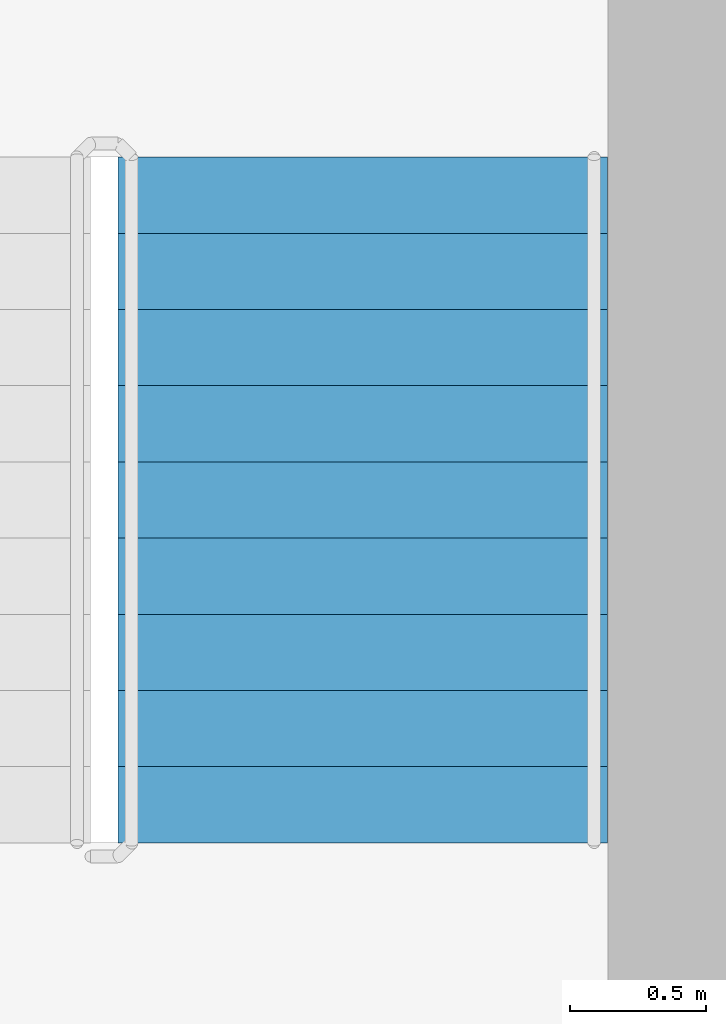
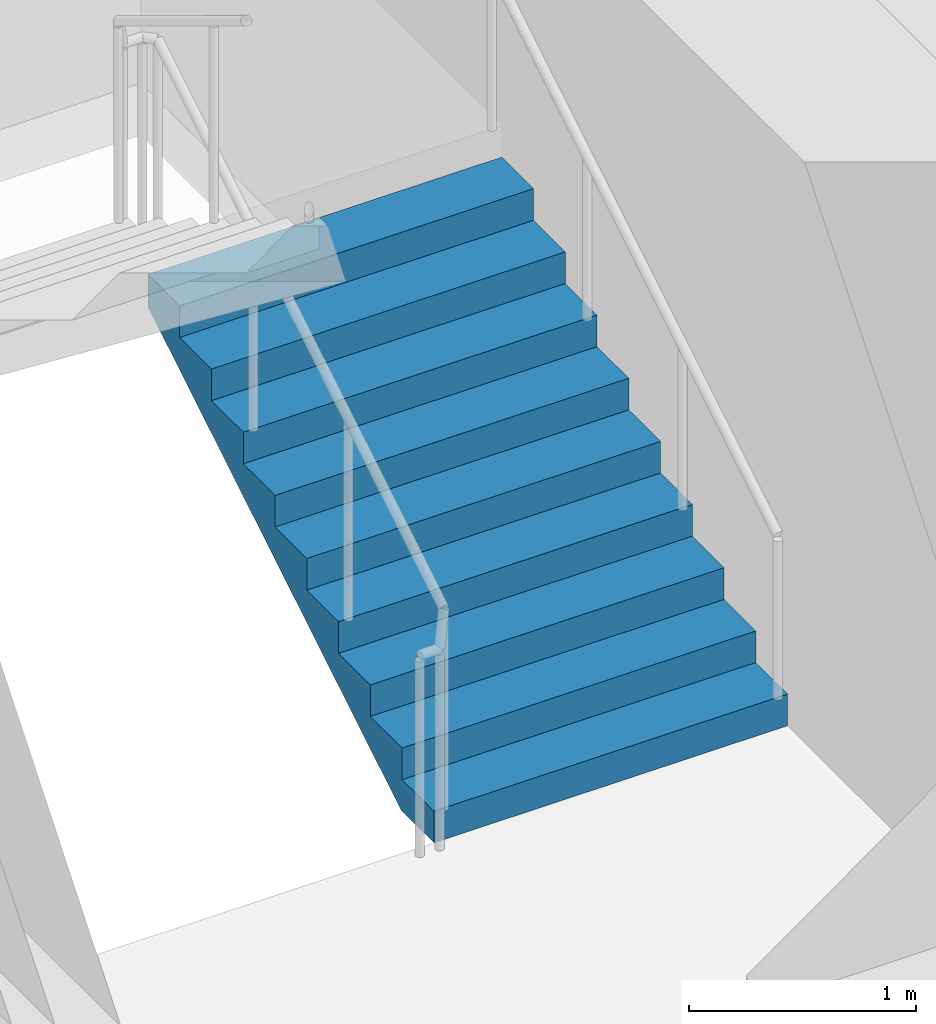
# One storey, part 12 of 20: 1 stair flight, 1 element without a shape of its own.
"""IFC4 building model written with IfcOpenShell, lengths in metres."""

from ifc_helpers import new_model, si_unit, direction, frame, origin, place, context, subcontext, project, spatial, triangles, source, transform, mapped, material, type_object, element, aggregate, save


model = new_model("IFC4")

# Units and contexts
model_context = context("Model", 3, precision=1e-05, world=origin(), true_north=direction((0.0, 1.0)))
body_context = subcontext(model_context, "Body", "Model", "MODEL_VIEW")
ifc_project = project(units=[si_unit("LENGTHUNIT", "METRE"), si_unit("AREAUNIT", "SQUARE_METRE"), si_unit("VOLUMEUNIT", "CUBIC_METRE"), si_unit("PLANEANGLEUNIT", "RADIAN"), si_unit("MASSUNIT", "GRAM", prefix="KILO")], contexts=[model_context])

# Site, building, storey
site_placement = place(None, origin())
site = spatial("IfcSite", under=ifc_project, at=site_placement, CompositionType="ELEMENT")
building_placement = place(site_placement, origin())
building = spatial("IfcBuilding", under=site, at=building_placement, Name="Kilnfold Tower and Market Hall", CompositionType="ELEMENT")
storey_placement = place(building_placement, frame((0.0, 0.0, 157.5)))
storey = spatial("IfcBuildingStorey", under=building, at=storey_placement, Name="L36", CompositionType="ELEMENT", Elevation=157.5)

# Stair, stair flight
ifc_material_1 = material(Name="Concrete C40/50", Category="concrete")
stair_type = type_object("IfcStairType", Name="CORE STAIR 1800", PredefinedType="HALF_TURN_STAIR", material=ifc_material_1)
stair_placement = place(storey_placement, origin())
stair = element("IfcStair", 1, at=stair_placement, inside=storey, type_object=stair_type, Name="L36 ST2", PredefinedType="HALF_TURN_STAIR")
ifc_material_2 = material(Name="Concrete C40/50", Category="concrete")
stair_flight_type = type_object("IfcStairFlightType", Name="CORE STAIR FLIGHT 1800", PredefinedType="STRAIGHT", material=ifc_material_2)
shared_shape = source(origin(), body_context, "Body", "Tessellation", [
    triangles([(0.0, 0.89990234375, 0.0), (0.0, 0.78759765625, 0.0), (0.0, 0.675048828125, 0.0), (0.0, 0.5625, 0.0), (0.0, 0.449951171875, 0.0), (0.0, 0.33740234375, 0.0), (0.0, 0.22509765625, 0.0), (0.0, 0.112548828125, 0.0), (0.0, 0.0, 0.0), (0.0, -0.112548828125, 0.0), (0.0, -0.22509765625, 0.0), (0.0, -0.33740234375, 0.0), (0.0, -0.449951171875, 0.0), (0.0, -0.5625, 0.0), (0.0, -0.675048828125, 0.0), (0.0, -0.78759765625, 0.0), (0.0, -0.89990234375, 0.0), (0.0, 0.89990234375, 0.169921875), (0.0, 0.78759765625, 0.169921875), (0.0, 0.675048828125, 0.169921875), (0.0, 0.5625, 0.169921875), (0.0, 0.449951171875, 0.169921875), (0.0, 0.33740234375, 0.169921875), (0.0, 0.22509765625, 0.169921875), (0.0, 0.112548828125, 0.169921875), (0.0, 0.0, 0.169921875), (0.0, -0.112548828125, 0.169921875), (0.0, -0.22509765625, 0.169921875), (0.0, -0.33740234375, 0.169921875), (0.0, -0.449951171875, 0.169921875), (0.0, -0.5625, 0.169921875), (0.0, -0.675048828125, 0.169921875), (0.0, -0.78759765625, 0.169921875), (0.0, -0.89990234375, 0.169921875), (0.280029296875, 0.89990234375, 0.169921875), (0.280029296875, 0.78759765625, 0.169921875), (0.280029296875, 0.675048828125, 0.169921875), (0.280029296875, 0.5625, 0.169921875), (0.280029296875, 0.449951171875, 0.169921875), (0.280029296875, 0.33740234375, 0.169921875), (0.280029296875, 0.22509765625, 0.169921875), (0.280029296875, 0.112548828125, 0.169921875), (0.280029296875, 0.0, 0.169921875), (0.280029296875, -0.112548828125, 0.169921875), (0.280029296875, -0.22509765625, 0.169921875), (0.280029296875, -0.33740234375, 0.169921875), (0.280029296875, -0.449951171875, 0.169921875), (0.280029296875, -0.5625, 0.169921875), (0.280029296875, -0.675048828125, 0.169921875), (0.280029296875, -0.78759765625, 0.169921875), (0.280029296875, -0.89990234375, 0.169921875), (0.280029296875, 0.89990234375, 0.340087890625), (0.280029296875, 0.78759765625, 0.340087890625), (0.280029296875, 0.675048828125, 0.340087890625), (0.280029296875, 0.5625, 0.340087890625), (0.280029296875, 0.449951171875, 0.340087890625), (0.280029296875, 0.33740234375, 0.340087890625), (0.280029296875, 0.22509765625, 0.340087890625), (0.280029296875, 0.112548828125, 0.340087890625), (0.280029296875, 0.0, 0.340087890625), (0.280029296875, -0.112548828125, 0.340087890625), (0.280029296875, -0.22509765625, 0.340087890625), (0.280029296875, -0.33740234375, 0.340087890625), (0.280029296875, -0.449951171875, 0.340087890625), (0.280029296875, -0.5625, 0.340087890625), (0.280029296875, -0.675048828125, 0.340087890625), (0.280029296875, -0.78759765625, 0.340087890625), (0.280029296875, -0.89990234375, 0.340087890625), (0.56005859375, 0.89990234375, 0.340087890625), (0.56005859375, 0.78759765625, 0.340087890625), (0.56005859375, 0.675048828125, 0.340087890625), (0.56005859375, 0.5625, 0.340087890625), (0.56005859375, 0.449951171875, 0.340087890625), (0.56005859375, 0.33740234375, 0.340087890625), (0.56005859375, 0.22509765625, 0.340087890625), (0.56005859375, 0.112548828125, 0.340087890625), (0.56005859375, 0.0, 0.340087890625), (0.56005859375, -0.112548828125, 0.340087890625), (0.56005859375, -0.22509765625, 0.340087890625), (0.56005859375, -0.33740234375, 0.340087890625), (0.56005859375, -0.449951171875, 0.340087890625), (0.56005859375, -0.5625, 0.340087890625), (0.56005859375, -0.675048828125, 0.340087890625), (0.56005859375, -0.78759765625, 0.340087890625), (0.56005859375, -0.89990234375, 0.340087890625), (0.56005859375, 0.89990234375, 0.510009765625), (0.56005859375, 0.78759765625, 0.510009765625), (0.56005859375, 0.675048828125, 0.510009765625), (0.56005859375, 0.5625, 0.510009765625), (0.56005859375, 0.449951171875, 0.510009765625), (0.56005859375, 0.33740234375, 0.510009765625), (0.56005859375, 0.22509765625, 0.510009765625), (0.56005859375, 0.112548828125, 0.510009765625), (0.56005859375, 0.0, 0.510009765625), (0.56005859375, -0.112548828125, 0.510009765625), (0.56005859375, -0.22509765625, 0.510009765625), (0.56005859375, -0.33740234375, 0.510009765625), (0.56005859375, -0.449951171875, 0.510009765625), (0.56005859375, -0.5625, 0.510009765625), (0.56005859375, -0.675048828125, 0.510009765625), (0.56005859375, -0.78759765625, 0.510009765625), (0.56005859375, -0.89990234375, 0.510009765625), (0.840087890625, 0.89990234375, 0.510009765625), (0.840087890625, 0.78759765625, 0.510009765625), (0.840087890625, 0.675048828125, 0.510009765625), (0.840087890625, 0.5625, 0.510009765625), (0.840087890625, 0.449951171875, 0.510009765625), (0.840087890625, 0.33740234375, 0.510009765625), (0.840087890625, 0.22509765625, 0.510009765625), (0.840087890625, 0.112548828125, 0.510009765625), (0.840087890625, 0.0, 0.510009765625), (0.840087890625, -0.112548828125, 0.510009765625), (0.840087890625, -0.22509765625, 0.510009765625), (0.840087890625, -0.33740234375, 0.510009765625), (0.840087890625, -0.449951171875, 0.510009765625), (0.840087890625, -0.5625, 0.510009765625), (0.840087890625, -0.675048828125, 0.510009765625), (0.840087890625, -0.78759765625, 0.510009765625), (0.840087890625, -0.89990234375, 0.510009765625), (0.840087890625, 0.89990234375, 0.679931640625), (0.840087890625, 0.78759765625, 0.679931640625), (0.840087890625, 0.675048828125, 0.679931640625), (0.840087890625, 0.5625, 0.679931640625), (0.840087890625, 0.449951171875, 0.679931640625), (0.840087890625, 0.33740234375, 0.679931640625), (0.840087890625, 0.22509765625, 0.679931640625), (0.840087890625, 0.112548828125, 0.679931640625), (0.840087890625, 0.0, 0.679931640625), (0.840087890625, -0.112548828125, 0.679931640625), (0.840087890625, -0.22509765625, 0.679931640625), (0.840087890625, -0.33740234375, 0.679931640625), (0.840087890625, -0.449951171875, 0.679931640625), (0.840087890625, -0.5625, 0.679931640625), (0.840087890625, -0.675048828125, 0.679931640625), (0.840087890625, -0.78759765625, 0.679931640625), (0.840087890625, -0.89990234375, 0.679931640625), (1.1201171875, 0.89990234375, 0.679931640625), (1.1201171875, 0.78759765625, 0.679931640625), (1.1201171875, 0.675048828125, 0.679931640625), (1.1201171875, 0.5625, 0.679931640625), (1.1201171875, 0.449951171875, 0.679931640625), (1.1201171875, 0.33740234375, 0.679931640625), (1.1201171875, 0.22509765625, 0.679931640625), (1.1201171875, 0.112548828125, 0.679931640625), (1.1201171875, 0.0, 0.679931640625), (1.1201171875, -0.112548828125, 0.679931640625), (1.1201171875, -0.22509765625, 0.679931640625), (1.1201171875, -0.33740234375, 0.679931640625), (1.1201171875, -0.449951171875, 0.679931640625), (1.1201171875, -0.5625, 0.679931640625), (1.1201171875, -0.675048828125, 0.679931640625), (1.1201171875, -0.78759765625, 0.679931640625), (1.1201171875, -0.89990234375, 0.679931640625), (1.1201171875, 0.89990234375, 0.85009765625), (1.1201171875, 0.78759765625, 0.85009765625), (1.1201171875, 0.675048828125, 0.85009765625), (1.1201171875, 0.5625, 0.85009765625), (1.1201171875, 0.449951171875, 0.85009765625), (1.1201171875, 0.33740234375, 0.85009765625), (1.1201171875, 0.22509765625, 0.85009765625), (1.1201171875, 0.112548828125, 0.85009765625), (1.1201171875, 0.0, 0.85009765625), (1.1201171875, -0.112548828125, 0.85009765625), (1.1201171875, -0.22509765625, 0.85009765625), (1.1201171875, -0.33740234375, 0.85009765625), (1.1201171875, -0.449951171875, 0.85009765625), (1.1201171875, -0.5625, 0.85009765625), (1.1201171875, -0.675048828125, 0.85009765625), (1.1201171875, -0.78759765625, 0.85009765625), (1.1201171875, -0.89990234375, 0.85009765625), (1.39990234375, 0.89990234375, 0.85009765625), (1.39990234375, 0.78759765625, 0.85009765625), (1.39990234375, 0.675048828125, 0.85009765625), (1.39990234375, 0.5625, 0.85009765625), (1.39990234375, 0.449951171875, 0.85009765625), (1.39990234375, 0.33740234375, 0.85009765625), (1.39990234375, 0.22509765625, 0.85009765625), (1.39990234375, 0.112548828125, 0.85009765625), (1.39990234375, 0.0, 0.85009765625), (1.39990234375, -0.112548828125, 0.85009765625), (1.39990234375, -0.22509765625, 0.85009765625), (1.39990234375, -0.33740234375, 0.85009765625), (1.39990234375, -0.449951171875, 0.85009765625), (1.39990234375, -0.5625, 0.85009765625), (1.39990234375, -0.675048828125, 0.85009765625), (1.39990234375, -0.78759765625, 0.85009765625), (1.39990234375, -0.89990234375, 0.85009765625), (1.39990234375, 0.89990234375, 1.02001953125), (1.39990234375, 0.78759765625, 1.02001953125), (1.39990234375, 0.675048828125, 1.02001953125), (1.39990234375, 0.5625, 1.02001953125), (1.39990234375, 0.449951171875, 1.02001953125), (1.39990234375, 0.33740234375, 1.02001953125), (1.39990234375, 0.22509765625, 1.02001953125), (1.39990234375, 0.112548828125, 1.02001953125), (1.39990234375, 0.0, 1.02001953125), (1.39990234375, -0.112548828125, 1.02001953125), (1.39990234375, -0.22509765625, 1.02001953125), (1.39990234375, -0.33740234375, 1.02001953125), (1.39990234375, -0.449951171875, 1.02001953125), (1.39990234375, -0.5625, 1.02001953125), (1.39990234375, -0.675048828125, 1.02001953125), (1.39990234375, -0.78759765625, 1.02001953125), (1.39990234375, -0.89990234375, 1.02001953125), (1.679931640625, 0.89990234375, 1.02001953125), (1.679931640625, 0.78759765625, 1.02001953125), (1.679931640625, 0.675048828125, 1.02001953125), (1.679931640625, 0.5625, 1.02001953125), (1.679931640625, 0.449951171875, 1.02001953125), (1.679931640625, 0.33740234375, 1.02001953125), (1.679931640625, 0.22509765625, 1.02001953125), (1.679931640625, 0.112548828125, 1.02001953125), (1.679931640625, 0.0, 1.02001953125), (1.679931640625, -0.112548828125, 1.02001953125), (1.679931640625, -0.22509765625, 1.02001953125), (1.679931640625, -0.33740234375, 1.02001953125), (1.679931640625, -0.449951171875, 1.02001953125), (1.679931640625, -0.5625, 1.02001953125), (1.679931640625, -0.675048828125, 1.02001953125), (1.679931640625, -0.78759765625, 1.02001953125), (1.679931640625, -0.89990234375, 1.02001953125), (1.679931640625, 0.89990234375, 1.18994140625), (1.679931640625, 0.78759765625, 1.18994140625), (1.679931640625, 0.675048828125, 1.18994140625), (1.679931640625, 0.5625, 1.18994140625), (1.679931640625, 0.449951171875, 1.18994140625), (1.679931640625, 0.33740234375, 1.18994140625), (1.679931640625, 0.22509765625, 1.18994140625), (1.679931640625, 0.112548828125, 1.18994140625), (1.679931640625, 0.0, 1.18994140625), (1.679931640625, -0.112548828125, 1.18994140625), (1.679931640625, -0.22509765625, 1.18994140625), (1.679931640625, -0.33740234375, 1.18994140625), (1.679931640625, -0.449951171875, 1.18994140625), (1.679931640625, -0.5625, 1.18994140625), (1.679931640625, -0.675048828125, 1.18994140625), (1.679931640625, -0.78759765625, 1.18994140625), (1.679931640625, -0.89990234375, 1.18994140625), (1.9599609375, 0.89990234375, 1.18994140625), (1.9599609375, 0.78759765625, 1.18994140625), (1.9599609375, 0.675048828125, 1.18994140625), (1.9599609375, 0.5625, 1.18994140625), (1.9599609375, 0.449951171875, 1.18994140625), (1.9599609375, 0.33740234375, 1.18994140625), (1.9599609375, 0.22509765625, 1.18994140625), (1.9599609375, 0.112548828125, 1.18994140625), (1.9599609375, 0.0, 1.18994140625), (1.9599609375, -0.112548828125, 1.18994140625), (1.9599609375, -0.22509765625, 1.18994140625), (1.9599609375, -0.33740234375, 1.18994140625), (1.9599609375, -0.449951171875, 1.18994140625), (1.9599609375, -0.5625, 1.18994140625), (1.9599609375, -0.675048828125, 1.18994140625), (1.9599609375, -0.78759765625, 1.18994140625), (1.9599609375, -0.89990234375, 1.18994140625), (1.9599609375, 0.89990234375, 1.360107421875), (1.9599609375, 0.78759765625, 1.360107421875), (1.9599609375, 0.675048828125, 1.360107421875), (1.9599609375, 0.5625, 1.360107421875), (1.9599609375, 0.449951171875, 1.360107421875), (1.9599609375, 0.33740234375, 1.360107421875), (1.9599609375, 0.22509765625, 1.360107421875), (1.9599609375, 0.112548828125, 1.360107421875), (1.9599609375, 0.0, 1.360107421875), (1.9599609375, -0.112548828125, 1.360107421875), (1.9599609375, -0.22509765625, 1.360107421875), (1.9599609375, -0.33740234375, 1.360107421875), (1.9599609375, -0.449951171875, 1.360107421875), (1.9599609375, -0.5625, 1.360107421875), (1.9599609375, -0.675048828125, 1.360107421875), (1.9599609375, -0.78759765625, 1.360107421875), (1.9599609375, -0.89990234375, 1.360107421875), (2.239990234375, 0.89990234375, 1.360107421875), (2.239990234375, 0.78759765625, 1.360107421875), (2.239990234375, 0.675048828125, 1.360107421875), (2.239990234375, 0.5625, 1.360107421875), (2.239990234375, 0.449951171875, 1.360107421875), (2.239990234375, 0.33740234375, 1.360107421875), (2.239990234375, 0.22509765625, 1.360107421875), (2.239990234375, 0.112548828125, 1.360107421875), (2.239990234375, 0.0, 1.360107421875), (2.239990234375, -0.112548828125, 1.360107421875), (2.239990234375, -0.22509765625, 1.360107421875), (2.239990234375, -0.33740234375, 1.360107421875), (2.239990234375, -0.449951171875, 1.360107421875), (2.239990234375, -0.5625, 1.360107421875), (2.239990234375, -0.675048828125, 1.360107421875), (2.239990234375, -0.78759765625, 1.360107421875), (2.239990234375, -0.89990234375, 1.360107421875), (2.239990234375, 0.89990234375, 1.530029296875), (2.239990234375, 0.78759765625, 1.530029296875), (2.239990234375, 0.675048828125, 1.530029296875), (2.239990234375, 0.5625, 1.530029296875), (2.239990234375, 0.449951171875, 1.530029296875), (2.239990234375, 0.33740234375, 1.530029296875), (2.239990234375, 0.22509765625, 1.530029296875), (2.239990234375, 0.112548828125, 1.530029296875), (2.239990234375, 0.0, 1.530029296875), (2.239990234375, -0.112548828125, 1.530029296875), (2.239990234375, -0.22509765625, 1.530029296875), (2.239990234375, -0.33740234375, 1.530029296875), (2.239990234375, -0.449951171875, 1.530029296875), (2.239990234375, -0.5625, 1.530029296875), (2.239990234375, -0.675048828125, 1.530029296875), (2.239990234375, -0.78759765625, 1.530029296875), (2.239990234375, -0.89990234375, 1.530029296875), (2.52001953125, 0.89990234375, 1.530029296875), (2.52001953125, 0.78759765625, 1.530029296875), (2.52001953125, 0.675048828125, 1.530029296875), (2.52001953125, 0.5625, 1.530029296875), (2.52001953125, 0.449951171875, 1.530029296875), (2.52001953125, 0.33740234375, 1.530029296875), (2.52001953125, 0.22509765625, 1.530029296875), (2.52001953125, 0.112548828125, 1.530029296875), (2.52001953125, 0.0, 1.530029296875), (2.52001953125, -0.112548828125, 1.530029296875), (2.52001953125, -0.22509765625, 1.530029296875), (2.52001953125, -0.33740234375, 1.530029296875), (2.52001953125, -0.449951171875, 1.530029296875), (2.52001953125, -0.5625, 1.530029296875), (2.52001953125, -0.675048828125, 1.530029296875), (2.52001953125, -0.78759765625, 1.530029296875), (2.52001953125, -0.89990234375, 1.530029296875), (2.52001953125, 0.89990234375, 1.354736328125), (2.52001953125, 0.78759765625, 1.354736328125), (2.52001953125, 0.675048828125, 1.354736328125), (2.52001953125, 0.5625, 1.354736328125), (2.52001953125, 0.449951171875, 1.354736328125), (2.52001953125, 0.33740234375, 1.354736328125), (2.52001953125, 0.22509765625, 1.354736328125), (2.52001953125, 0.112548828125, 1.354736328125), (2.52001953125, 0.0, 1.354736328125), (2.52001953125, -0.112548828125, 1.354736328125), (2.52001953125, -0.22509765625, 1.354736328125), (2.52001953125, -0.33740234375, 1.354736328125), (2.52001953125, -0.449951171875, 1.354736328125), (2.52001953125, -0.5625, 1.354736328125), (2.52001953125, -0.675048828125, 1.354736328125), (2.52001953125, -0.78759765625, 1.354736328125), (2.52001953125, -0.89990234375, 1.354736328125), (0.288818359375, 0.89990234375, 0.0), (0.288818359375, 0.78759765625, 0.0), (0.288818359375, 0.675048828125, 0.0), (0.288818359375, 0.5625, 0.0), (0.288818359375, 0.449951171875, 0.0), (0.288818359375, 0.33740234375, 0.0), (0.288818359375, 0.22509765625, 0.0), (0.288818359375, 0.112548828125, 0.0), (0.288818359375, 0.0, 0.0), (0.288818359375, -0.112548828125, 0.0), (0.288818359375, -0.22509765625, 0.0), (0.288818359375, -0.33740234375, 0.0), (0.288818359375, -0.449951171875, 0.0), (0.288818359375, -0.5625, 0.0), (0.288818359375, -0.675048828125, 0.0), (0.288818359375, -0.78759765625, 0.0), (0.288818359375, -0.89990234375, 0.0)], [[1, 324, 341], [17, 357, 340], [324, 290, 307], [340, 323, 306], [324, 273, 290], [340, 306, 289], [324, 256, 273], [340, 289, 272], [324, 239, 256], [340, 272, 255], [239, 205, 222], [255, 238, 221], [324, 205, 239], [340, 255, 221], [205, 171, 188], [221, 204, 187], [324, 171, 205], [340, 221, 187], [171, 137, 154], [187, 170, 153], [324, 137, 171], [340, 187, 153], [137, 103, 120], [153, 136, 119], [324, 103, 137], [340, 153, 119], [103, 69, 86], [119, 102, 85], [324, 69, 103], [340, 119, 85], [69, 35, 52], [85, 68, 51], [324, 35, 69], [340, 85, 51], [1, 35, 324], [17, 340, 51], [35, 1, 18], [51, 34, 17], [1, 19, 18], [1, 2, 19], [2, 20, 19], [2, 3, 20], [3, 21, 20], [3, 4, 21], [4, 22, 21], [4, 5, 22], [5, 23, 22], [5, 6, 23], [6, 24, 23], [6, 7, 24], [7, 25, 24], [7, 8, 25], [8, 26, 25], [8, 9, 26], [9, 27, 26], [9, 10, 27], [10, 28, 27], [10, 11, 28], [11, 29, 28], [11, 12, 29], [12, 30, 29], [12, 13, 30], [13, 31, 30], [13, 14, 31], [14, 32, 31], [14, 15, 32], [15, 33, 32], [15, 16, 33], [16, 34, 33], [16, 17, 34], [18, 36, 35], [18, 19, 36], [19, 37, 36], [19, 20, 37], [20, 38, 37], [20, 21, 38], [21, 39, 38], [21, 22, 39], [22, 40, 39], [22, 23, 40], [23, 41, 40], [23, 24, 41], [24, 42, 41], [24, 25, 42], [25, 43, 42], [25, 26, 43], [26, 44, 43], [26, 27, 44], [27, 45, 44], [27, 28, 45], [28, 46, 45], [28, 29, 46], [29, 47, 46], [29, 30, 47], [30, 48, 47], [30, 31, 48], [31, 49, 48], [31, 32, 49], [32, 50, 49], [32, 33, 50], [33, 51, 50], [33, 34, 51], [35, 53, 52], [35, 36, 53], [36, 54, 53], [36, 37, 54], [37, 55, 54], [37, 38, 55], [38, 56, 55], [38, 39, 56], [39, 57, 56], [39, 40, 57], [40, 58, 57], [40, 41, 58], [41, 59, 58], [41, 42, 59], [42, 60, 59], [42, 43, 60], [43, 61, 60], [43, 44, 61], [44, 62, 61], [44, 45, 62], [45, 63, 62], [45, 46, 63], [46, 64, 63], [46, 47, 64], [47, 65, 64], [47, 48, 65], [48, 66, 65], [48, 49, 66], [49, 67, 66], [49, 50, 67], [50, 68, 67], [50, 51, 68], [52, 70, 69], [52, 53, 70], [53, 71, 70], [53, 54, 71], [54, 72, 71], [54, 55, 72], [55, 73, 72], [55, 56, 73], [56, 74, 73], [56, 57, 74], [57, 75, 74], [57, 58, 75], [58, 76, 75], [58, 59, 76], [59, 77, 76], [59, 60, 77], [60, 78, 77], [60, 61, 78], [61, 79, 78], [61, 62, 79], [62, 80, 79], [62, 63, 80], [63, 81, 80], [63, 64, 81], [64, 82, 81], [64, 65, 82], [65, 83, 82], [65, 66, 83], [66, 84, 83], [66, 67, 84], [67, 85, 84], [67, 68, 85], [69, 87, 86], [69, 70, 87], [70, 88, 87], [70, 71, 88], [71, 89, 88], [71, 72, 89], [72, 90, 89], [72, 73, 90], [73, 91, 90], [73, 74, 91], [74, 92, 91], [74, 75, 92], [75, 93, 92], [75, 76, 93], [76, 94, 93], [76, 77, 94], [77, 95, 94], [77, 78, 95], [78, 96, 95], [78, 79, 96], [79, 97, 96], [79, 80, 97], [80, 98, 97], [80, 81, 98], [81, 99, 98], [81, 82, 99], [82, 100, 99], [82, 83, 100], [83, 101, 100], [83, 84, 101], [84, 102, 101], [84, 85, 102], [86, 104, 103], [86, 87, 104], [87, 105, 104], [87, 88, 105], [88, 106, 105], [88, 89, 106], [89, 107, 106], [89, 90, 107], [90, 108, 107], [90, 91, 108], [91, 109, 108], [91, 92, 109], [92, 110, 109], [92, 93, 110], [93, 111, 110], [93, 94, 111], [94, 112, 111], [94, 95, 112], [95, 113, 112], [95, 96, 113], [96, 114, 113], [96, 97, 114], [97, 115, 114], [97, 98, 115], [98, 116, 115], [98, 99, 116], [99, 117, 116], [99, 100, 117], [100, 118, 117], [100, 101, 118], [101, 119, 118], [101, 102, 119], [103, 121, 120], [103, 104, 121], [104, 122, 121], [104, 105, 122], [105, 123, 122], [105, 106, 123], [106, 124, 123], [106, 107, 124], [107, 125, 124], [107, 108, 125], [108, 126, 125], [108, 109, 126], [109, 127, 126], [109, 110, 127], [110, 128, 127], [110, 111, 128], [111, 129, 128], [111, 112, 129], [112, 130, 129], [112, 113, 130], [113, 131, 130], [113, 114, 131], [114, 132, 131], [114, 115, 132], [115, 133, 132], [115, 116, 133], [116, 134, 133], [116, 117, 134], [117, 135, 134], [117, 118, 135], [118, 136, 135], [118, 119, 136], [120, 138, 137], [120, 121, 138], [121, 139, 138], [121, 122, 139], [122, 140, 139], [122, 123, 140], [123, 141, 140], [123, 124, 141], [124, 142, 141], [124, 125, 142], [125, 143, 142], [125, 126, 143], [126, 144, 143], [126, 127, 144], [127, 145, 144], [127, 128, 145], [128, 146, 145], [128, 129, 146], [129, 147, 146], [129, 130, 147], [130, 148, 147], [130, 131, 148], [131, 149, 148], [131, 132, 149], [132, 150, 149], [132, 133, 150], [133, 151, 150], [133, 134, 151], [134, 152, 151], [134, 135, 152], [135, 153, 152], [135, 136, 153], [137, 155, 154], [137, 138, 155], [138, 156, 155], [138, 139, 156], [139, 157, 156], [139, 140, 157], [140, 158, 157], [140, 141, 158], [141, 159, 158], [141, 142, 159], [142, 160, 159], [142, 143, 160], [143, 161, 160], [143, 144, 161], [144, 162, 161], [144, 145, 162], [145, 163, 162], [145, 146, 163], [146, 164, 163], [146, 147, 164], [147, 165, 164], [147, 148, 165], [148, 166, 165], [148, 149, 166], [149, 167, 166], [149, 150, 167], [150, 168, 167], [150, 151, 168], [151, 169, 168], [151, 152, 169], [152, 170, 169], [152, 153, 170], [154, 172, 171], [154, 155, 172], [155, 173, 172], [155, 156, 173], [156, 174, 173], [156, 157, 174], [157, 175, 174], [157, 158, 175], [158, 176, 175], [158, 159, 176], [159, 177, 176], [159, 160, 177], [160, 178, 177], [160, 161, 178], [161, 179, 178], [161, 162, 179], [162, 180, 179], [162, 163, 180], [163, 181, 180], [163, 164, 181], [164, 182, 181], [164, 165, 182], [165, 183, 182], [165, 166, 183], [166, 184, 183], [166, 167, 184], [167, 185, 184], [167, 168, 185], [168, 186, 185], [168, 169, 186], [169, 187, 186], [169, 170, 187], [171, 189, 188], [171, 172, 189], [172, 190, 189], [172, 173, 190], [173, 191, 190], [173, 174, 191], [174, 192, 191], [174, 175, 192], [175, 193, 192], [175, 176, 193], [176, 194, 193], [176, 177, 194], [177, 195, 194], [177, 178, 195], [178, 196, 195], [178, 179, 196], [179, 197, 196], [179, 180, 197], [180, 198, 197], [180, 181, 198], [181, 199, 198], [181, 182, 199], [182, 200, 199], [182, 183, 200], [183, 201, 200], [183, 184, 201], [184, 202, 201], [184, 185, 202], [185, 203, 202], [185, 186, 203], [186, 204, 203], [186, 187, 204], [188, 206, 205], [188, 189, 206], [189, 207, 206], [189, 190, 207], [190, 208, 207], [190, 191, 208], [191, 209, 208], [191, 192, 209], [192, 210, 209], [192, 193, 210], [193, 211, 210], [193, 194, 211], [194, 212, 211], [194, 195, 212], [195, 213, 212], [195, 196, 213], [196, 214, 213], [196, 197, 214], [197, 215, 214], [197, 198, 215], [198, 216, 215], [198, 199, 216], [199, 217, 216], [199, 200, 217], [200, 218, 217], [200, 201, 218], [201, 219, 218], [201, 202, 219], [202, 220, 219], [202, 203, 220], [203, 221, 220], [203, 204, 221], [205, 223, 222], [205, 206, 223], [206, 224, 223], [206, 207, 224], [207, 225, 224], [207, 208, 225], [208, 226, 225], [208, 209, 226], [209, 227, 226], [209, 210, 227], [210, 228, 227], [210, 211, 228], [211, 229, 228], [211, 212, 229], [212, 230, 229], [212, 213, 230], [213, 231, 230], [213, 214, 231], [214, 232, 231], [214, 215, 232], [215, 233, 232], [215, 216, 233], [216, 234, 233], [216, 217, 234], [217, 235, 234], [217, 218, 235], [218, 236, 235], [218, 219, 236], [219, 237, 236], [219, 220, 237], [220, 238, 237], [220, 221, 238], [222, 240, 239], [222, 223, 240], [223, 241, 240], [223, 224, 241], [224, 242, 241], [224, 225, 242], [225, 243, 242], [225, 226, 243], [226, 244, 243], [226, 227, 244], [227, 245, 244], [227, 228, 245], [228, 246, 245], [228, 229, 246], [229, 247, 246], [229, 230, 247], [230, 248, 247], [230, 231, 248], [231, 249, 248], [231, 232, 249], [232, 250, 249], [232, 233, 250], [233, 251, 250], [233, 234, 251], [234, 252, 251], [234, 235, 252], [235, 253, 252], [235, 236, 253], [236, 254, 253], [236, 237, 254], [237, 255, 254], [237, 238, 255], [239, 257, 256], [239, 240, 257], [240, 258, 257], [240, 241, 258], [241, 259, 258], [241, 242, 259], [242, 260, 259], [242, 243, 260], [243, 261, 260], [243, 244, 261], [244, 262, 261], [244, 245, 262], [245, 263, 262], [245, 246, 263], [246, 264, 263], [246, 247, 264], [247, 265, 264], [247, 248, 265], [248, 266, 265], [248, 249, 266], [249, 267, 266], [249, 250, 267], [250, 268, 267], [250, 251, 268], [251, 269, 268], [251, 252, 269], [252, 270, 269], [252, 253, 270], [253, 271, 270], [253, 254, 271], [254, 272, 271], [254, 255, 272], [256, 274, 273], [256, 257, 274], [257, 275, 274], [257, 258, 275], [258, 276, 275], [258, 259, 276], [259, 277, 276], [259, 260, 277], [260, 278, 277], [260, 261, 278], [261, 279, 278], [261, 262, 279], [262, 280, 279], [262, 263, 280], [263, 281, 280], [263, 264, 281], [264, 282, 281], [264, 265, 282], [265, 283, 282], [265, 266, 283], [266, 284, 283], [266, 267, 284], [267, 285, 284], [267, 268, 285], [268, 286, 285], [268, 269, 286], [269, 287, 286], [269, 270, 287], [270, 288, 287], [270, 271, 288], [271, 289, 288], [271, 272, 289], [273, 291, 290], [273, 274, 291], [274, 292, 291], [274, 275, 292], [275, 293, 292], [275, 276, 293], [276, 294, 293], [276, 277, 294], [277, 295, 294], [277, 278, 295], [278, 296, 295], [278, 279, 296], [279, 297, 296], [279, 280, 297], [280, 298, 297], [280, 281, 298], [281, 299, 298], [281, 282, 299], [282, 300, 299], [282, 283, 300], [283, 301, 300], [283, 284, 301], [284, 302, 301], [284, 285, 302], [285, 303, 302], [285, 286, 303], [286, 304, 303], [286, 287, 304], [287, 305, 304], [287, 288, 305], [288, 306, 305], [288, 289, 306], [290, 308, 307], [290, 291, 308], [291, 309, 308], [291, 292, 309], [292, 310, 309], [292, 293, 310], [293, 311, 310], [293, 294, 311], [294, 312, 311], [294, 295, 312], [295, 313, 312], [295, 296, 313], [296, 314, 313], [296, 297, 314], [297, 315, 314], [297, 298, 315], [298, 316, 315], [298, 299, 316], [299, 317, 316], [299, 300, 317], [300, 318, 317], [300, 301, 318], [301, 319, 318], [301, 302, 319], [302, 320, 319], [302, 303, 320], [303, 321, 320], [303, 304, 321], [304, 322, 321], [304, 305, 322], [305, 323, 322], [305, 306, 323], [307, 325, 324], [307, 308, 325], [308, 326, 325], [308, 309, 326], [309, 327, 326], [309, 310, 327], [310, 328, 327], [310, 311, 328], [311, 329, 328], [311, 312, 329], [312, 330, 329], [312, 313, 330], [313, 331, 330], [313, 314, 331], [314, 332, 331], [314, 315, 332], [315, 333, 332], [315, 316, 333], [316, 334, 333], [316, 317, 334], [317, 335, 334], [317, 318, 335], [318, 336, 335], [318, 319, 336], [319, 337, 336], [319, 320, 337], [320, 338, 337], [320, 321, 338], [321, 339, 338], [321, 322, 339], [322, 340, 339], [322, 323, 340], [324, 342, 341], [324, 325, 342], [325, 343, 342], [325, 326, 343], [326, 344, 343], [326, 327, 344], [327, 345, 344], [327, 328, 345], [328, 346, 345], [328, 329, 346], [329, 347, 346], [329, 330, 347], [330, 348, 347], [330, 331, 348], [331, 349, 348], [331, 332, 349], [332, 350, 349], [332, 333, 350], [333, 351, 350], [333, 334, 351], [334, 352, 351], [334, 335, 352], [335, 353, 352], [335, 336, 353], [336, 354, 353], [336, 337, 354], [337, 355, 354], [337, 338, 355], [338, 356, 355], [338, 339, 356], [339, 357, 356], [339, 340, 357], [341, 2, 1], [341, 342, 2], [342, 3, 2], [342, 343, 3], [343, 4, 3], [343, 344, 4], [344, 5, 4], [344, 345, 5], [345, 6, 5], [345, 346, 6], [346, 7, 6], [346, 347, 7], [347, 8, 7], [347, 348, 8], [348, 9, 8], [348, 349, 9], [349, 10, 9], [349, 350, 10], [350, 11, 10], [350, 351, 11], [351, 12, 11], [351, 352, 12], [352, 13, 12], [352, 353, 13], [353, 14, 13], [353, 354, 14], [354, 15, 14], [354, 355, 15], [355, 16, 15], [355, 356, 16], [356, 17, 16], [356, 357, 17]], closed=True),
])
stair_flight_placement = place(storey_placement, frame((16.199951171875, 10.800048828125, 0.0), z_axis=(0.0, 0.0, 1.0), x_axis=(0.0, 1.0, 0.0)))
stair_flight = element("IfcStairFlight", 2, at=stair_flight_placement, type_object=stair_flight_type, Name="ST2 flight 1", NumberOfRisers=10, NumberOfTreads=9, PredefinedType="STRAIGHT", RiserHeight=0.17, TreadLength=0.28, context=body_context, shape_type="MappedRepresentation", body=[
    mapped(shared_shape, transform((0.0, 0.0, 0.0))),
])
aggregate(stair, [stair_flight])

save(model, "model.ifc")
